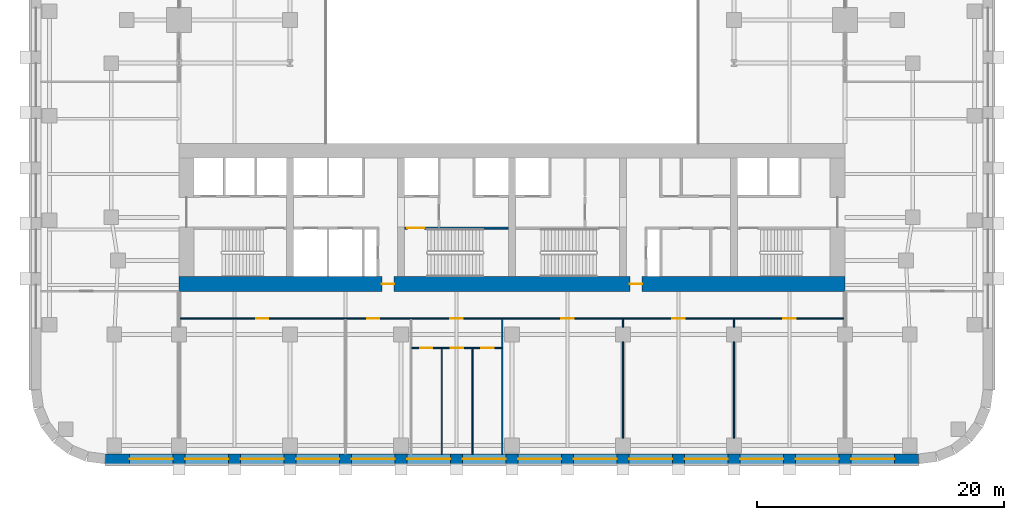
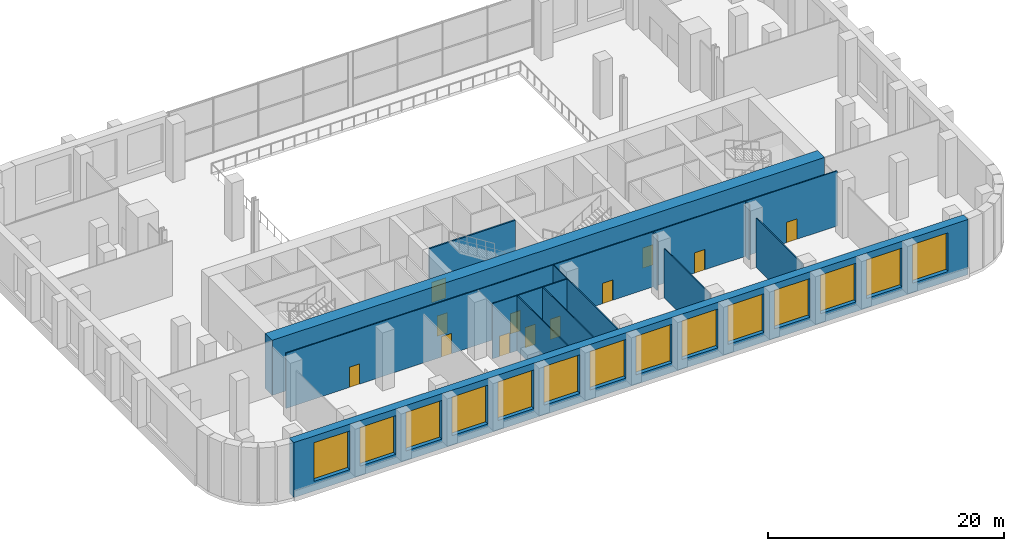
# One storey, part 5 of 13: 14 windows, 12 doors, 12 walls, 26 openings.
"""IFC4 building model written with IfcOpenShell, lengths in metres."""

import ifcopenshell
import ifcopenshell.guid

model = None  # the IFC model being written
_history = None  # IfcOwnerHistory: only IFC2X3 demands one
_inside = {}  # id of a spatial element -> (the spatial element, [elements in it])
_under = {}  # id of a project, library or spatial element -> (it, [spatial elements below it])
_declared = {}  # id of a project -> (the project, [libraries it declares])
_typed = {}  # id of a type object -> (the type object, [elements of that type])
_made_of = {}  # id of a material, layer set ... -> (it, [elements and type objects made of it])


def new_model(schema):
    """Start an empty IFC model of exactly this schema.

    Asked for "IFC4X3", IfcOpenShell would pick the latest addendum, in which some entities
    have other attributes; the version numbers below select the first issue.
    IFC2X3 requires an IfcOwnerHistory on every rooted entity: one is made here for all.
    """
    global model, _history
    if schema == "IFC4X3":
        model = ifcopenshell.file(schema_version=(4, 3, 0, 0))
    else:
        model = ifcopenshell.file(schema=schema)
    _inside.clear()
    _under.clear()
    _declared.clear()
    _typed.clear()
    _made_of.clear()
    _history = None
    if model.schema == "IFC2X3":
        org = make("IfcOrganization", Name="unknown")
        user = make(
            "IfcPersonAndOrganization",
            ThePerson=make("IfcPerson", FamilyName="unknown"),
            TheOrganization=org,
        )
        app = make(
            "IfcApplication",
            ApplicationDeveloper=org,
            Version="unknown",
            ApplicationFullName="unknown",
            ApplicationIdentifier="unknown",
        )
        _history = make(
            "IfcOwnerHistory",
            OwningUser=user,
            OwningApplication=app,
            ChangeAction="ADDED",
            CreationDate=0,
        )
    return model


def make(cls, **values):
    """One entity of the class cls with the attributes given. An attribute that is None is left unset."""
    return model.create_entity(
        cls, **{name: value for name, value in values.items() if value is not None}
    )


def rooted(cls, **values):
    """An entity with a GlobalId (a new one), such as an element, a storey or a relation."""
    return make(cls, GlobalId=ifcopenshell.guid.new(), OwnerHistory=_history, **values)


def si_unit(unit_type, name, prefix=None):
    """IfcSIUnit, for example si_unit("LENGTHUNIT", "METRE", prefix="MILLI")."""
    return make("IfcSIUnit", UnitType=unit_type, Prefix=prefix, Name=name)


def assignment(units):
    """IfcUnitAssignment: the units of a project."""
    return None if units is None else make("IfcUnitAssignment", Units=units)


def point(xyz):
    """IfcCartesianPoint."""
    return None if xyz is None else make("IfcCartesianPoint", Coordinates=xyz)


def direction(xyz):
    """IfcDirection."""
    return None if xyz is None else make("IfcDirection", DirectionRatios=xyz)


def frame(location, z_axis=None, x_axis=None):
    """IfcAxis2Placement3D, a coordinate frame: its origin and axes. An axis left out is left unset."""
    return make(
        "IfcAxis2Placement3D",
        Location=point(location),
        Axis=direction(z_axis),
        RefDirection=direction(x_axis),
    )


def frame_2d(location, x_axis=None):
    """IfcAxis2Placement2D, a coordinate frame in the plane: its origin and x axis."""
    return make(
        "IfcAxis2Placement2D", Location=point(location), RefDirection=direction(x_axis)
    )


def origin():
    """The frame at (0, 0, 0) with its axes left unset."""
    return frame((0.0, 0.0, 0.0))


def place(relative_to, where):
    """IfcLocalPlacement: puts the frame where relative to a parent placement (None: the world)."""
    return make(
        "IfcLocalPlacement", PlacementRelTo=relative_to, RelativePlacement=where
    )


def context(
    kind, dimensions, precision=None, world=None, true_north=None, identifier=None
):
    """IfcGeometricRepresentationContext, for example the 3D "Model" context."""
    return make(
        "IfcGeometricRepresentationContext",
        ContextIdentifier=identifier,
        ContextType=kind,
        CoordinateSpaceDimension=dimensions,
        Precision=precision,
        WorldCoordinateSystem=world,
        TrueNorth=true_north,
    )


def subcontext(parent, identifier, kind, view, scale=None):
    """IfcGeometricRepresentationSubContext, for example "Body" below "Model"."""
    return make(
        "IfcGeometricRepresentationSubContext",
        ContextIdentifier=identifier,
        ContextType=kind,
        ParentContext=parent,
        TargetScale=scale,
        TargetView=view,
    )


def project(units=None, contexts=None):
    """IfcProject with its units and contexts."""
    return rooted(
        "IfcProject",
        Name="project",
        RepresentationContexts=contexts,
        UnitsInContext=assignment(units),
    )


def spatial(cls, under=None, at=None, **own):
    """A site, building, storey or space (cls), placed at a placement, below another one or the project."""
    s = rooted(cls, ObjectPlacement=at, **own)
    if under is not None:
        _under.setdefault(under.id(), (under, []))[1].append(s)
    return s


def profile(cls, at=None, kind="AREA", **sizes):
    """A parametric profile (cls). Its sizes go by their IFC names, for example OverallWidth=200.0."""
    return make(cls, ProfileType=kind, Position=at, **sizes)


def rectangle(**sizes):
    """IfcRectangleProfileDef."""
    return profile("IfcRectangleProfileDef", **sizes)


def extrude(swept, where, along, depth):
    """IfcExtrudedAreaSolid: the profile swept, set in the frame where, extruded along a direction by depth."""
    return make(
        "IfcExtrudedAreaSolid",
        SweptArea=swept,
        Position=where,
        ExtrudedDirection=direction(along),
        Depth=depth,
    )


def shape(context_of_items, identifier, shape_type, items):
    """IfcShapeRepresentation: the items that make up one representation, for example the "Body"."""
    return make(
        "IfcShapeRepresentation",
        ContextOfItems=context_of_items,
        RepresentationIdentifier=identifier,
        RepresentationType=shape_type,
        Items=items,
    )


def material(Name=None, Category=None):
    """IfcMaterial."""
    return make("IfcMaterial", Name=Name, Category=Category)


def layer(
    of_material, thickness, ventilated=None, Name=None, Category=None, Priority=None
):
    """IfcMaterialLayer: one layer of a wall or slab, of a material (None: an air gap)."""
    return make(
        "IfcMaterialLayer",
        Material=of_material,
        LayerThickness=thickness,
        IsVentilated=ventilated,
        Name=Name,
        Category=Category,
        Priority=Priority,
    )


def layer_set(layers, Name=None):
    """IfcMaterialLayerSet."""
    return make("IfcMaterialLayerSet", MaterialLayers=layers, LayerSetName=Name)


def made_of(thing, what):
    """Note that an element or type object is made of a material, layer set ...; save() writes the relation."""
    if what is not None:
        _made_of.setdefault(what.id(), (what, []))[1].append(thing)
    return thing


def type_object(cls, material=None, **own):
    """A type object (cls), such as IfcWallType, which elements share."""
    return made_of(rooted(cls, **own), material)


def element(
    cls,
    number,
    at=None,
    inside=None,
    cuts=None,
    type_object=None,
    material=None,
    context=None,
    identifier="Body",
    shape_type=None,
    held_by="IfcProductDefinitionShape",
    body=None,
    shapes=None,
    **own,
):
    """One element of the class cls, such as IfcWall. Its Tag is "e" and its number.

    at: its placement. inside: the storey or other place that contains it. cuts: it is an
    opening in that element (IfcRelVoidsElement). A single representation is given by context,
    identifier, shape_type and body (its items); several are given by shapes. held_by: the class
    of the entity that holds the representations. save() writes the other relations.
    """
    e = rooted(cls, Tag="e%d" % number, ObjectPlacement=at, **own)
    if body is not None:
        shapes = [shape(context, identifier, shape_type, body)]
    if shapes is not None:
        e.Representation = make(held_by, Representations=shapes)
    if inside is not None:
        _inside.setdefault(inside.id(), (inside, []))[1].append(e)
    if cuts is not None:
        rooted(
            "IfcRelVoidsElement", RelatingBuildingElement=cuts, RelatedOpeningElement=e
        )
    if type_object is not None:
        _typed.setdefault(type_object.id(), (type_object, []))[1].append(e)
    return made_of(e, material)


def fill(opening, filler):
    """IfcRelFillsElement: the door or window that sits in an opening."""
    return rooted(
        "IfcRelFillsElement",
        RelatingOpeningElement=opening,
        RelatedBuildingElement=filler,
    )


def aggregate(whole, parts):
    """IfcRelAggregates: a whole, such as a stair, and the parts it consists of."""
    return rooted("IfcRelAggregates", RelatingObject=whole, RelatedObjects=parts)


def save(model, path):
    """Write the relations noted so far, then the file.

    IfcRelAggregates (storeys below a building ...), IfcRelContainedInSpatialStructure (elements
    in a storey), IfcRelDefinesByType, IfcRelAssociatesMaterial and IfcRelDeclares: one each for
    every whole, place, type object, material and project.
    """
    for whole, parts in _under.values():
        aggregate(whole, parts)
    for where, things in _inside.values():
        rooted(
            "IfcRelContainedInSpatialStructure",
            RelatedElements=things,
            RelatingStructure=where,
        )
    for kind, things in _typed.values():
        rooted("IfcRelDefinesByType", RelatedObjects=things, RelatingType=kind)
    for what, things in _made_of.values():
        rooted("IfcRelAssociatesMaterial", RelatedObjects=things, RelatingMaterial=what)
    for by, libraries in _declared.values():
        rooted("IfcRelDeclares", RelatingContext=by, RelatedDefinitions=libraries)
    model.write(path)


model = new_model("IFC4")

# Units and contexts
model_context = context("Model", 3, precision=1e-05, world=origin(), true_north=direction((0.0, 1.0)))
body_context = subcontext(model_context, "Body", "Model", "MODEL_VIEW")
ifc_project = project(units=[si_unit("LENGTHUNIT", "METRE"), si_unit("AREAUNIT", "SQUARE_METRE"), si_unit("VOLUMEUNIT", "CUBIC_METRE"), si_unit("PLANEANGLEUNIT", "RADIAN"), si_unit("MASSUNIT", "GRAM", prefix="KILO")], contexts=[model_context])

# Site, building, storey
site_placement = place(None, origin())
site = spatial("IfcSite", under=ifc_project, at=site_placement, CompositionType="ELEMENT")
building_placement = place(site_placement, origin())
building = spatial("IfcBuilding", under=site, at=building_placement, Name="Zellij Exchange Tower", CompositionType="ELEMENT")
storey_placement = place(building_placement, frame((0.0, 0.0, 15.0)))
storey = spatial("IfcBuildingStorey", under=building, at=storey_placement, Name="L02", CompositionType="ELEMENT", Elevation=15.0)

# Wall, openings, doors
ifc_material_1 = material(Name="Concrete C70/85", Category="concrete")
ifc_layer_1 = layer(ifc_material_1, 1.199951171875)
ifc_layer_set_1 = layer_set([ifc_layer_1], Name="Concrete C70/85")
wall_type_1 = type_object("IfcWallType", Name="CORE-SW 1200 C70/85", PredefinedType="SHEAR", material=ifc_layer_set_1)
wall_1_placement = place(storey_placement, frame((-27.0, -13.39990234375, 0.0), z_axis=(0.0, 0.0, 1.0), x_axis=(1.0, 0.0, 0.0)))
wall_1 = element("IfcWall", 1, at=wall_1_placement, inside=storey, type_object=wall_type_1, Name="Core shear wall rear L02", PredefinedType="SHEAR", context=body_context, shape_type="SweptSolid", body=[
    extrude(rectangle(XDim=54.0, YDim=1.199951171875, at=frame_2d((27.0, 0.0))), origin(), (0.0, 0.0, 1.0), 5.699951171875),
])
opening_1_placement = place(wall_1_placement, frame((16.449951171875, 0.0, 0.0)))
opening_1 = element("IfcOpeningElement", 2, at=opening_1_placement, cuts=wall_1, Name="Opening CA-04.11", PredefinedType="OPENING", context=body_context, shape_type="SweptSolid", body=[
    extrude(rectangle(XDim=1.0, YDim=2.10009765625, at=frame_2d((0.5, 1.050048828125))), frame((0.0, 0.61181640625, 0.0), z_axis=(0.0, -1.0, 0.0), x_axis=(1.0, 0.0, 0.0)), (0.0, 0.0, 1.0), 1.223876953125),
])
opening_2_placement = place(wall_1_placement, frame((36.550048828125, 0.0, 0.0)))
opening_2 = element("IfcOpeningElement", 3, at=opening_2_placement, cuts=wall_1, Name="Opening CA-04.19", PredefinedType="OPENING", context=body_context, shape_type="SweptSolid", body=[
    extrude(rectangle(XDim=1.0, YDim=2.10009765625, at=frame_2d((0.5, 1.050048828125))), frame((0.0, 0.61181640625, 0.0), z_axis=(0.0, -1.0, 0.0), x_axis=(1.0, 0.0, 0.0)), (0.0, 0.0, 1.0), 1.223876953125),
])
ifc_material_2 = material(Name="Hollow metal fire door")
door_type_1 = type_object("IfcDoorType", Name="CORE-D CR Core rear door 1000x2100 20 MIN", OperationType="NOTDEFINED", PredefinedType="DOOR", material=ifc_material_2)
door_1_placement = place(opening_1_placement, origin())
door_1 = element("IfcDoor", 4, at=door_1_placement, inside=storey, type_object=door_type_1, Name="Core rear door CA-04.11", OperationType="SINGLE_SWING_RIGHT", OverallHeight=2.10009765625, OverallWidth=1.0, PredefinedType="DOOR", context=body_context, shape_type="SweptSolid", body=[
    extrude(rectangle(XDim=1.0, YDim=2.10009765625, at=frame_2d((0.5, 1.050048828125))), frame((0.0, 0.02490234375, 0.0), z_axis=(0.0, -1.0, 0.0), x_axis=(1.0, 0.0, 0.0)), (0.0, 0.0, 1.0), 0.050048828125),
])
fill(opening_1, door_1)
door_2_placement = place(opening_2_placement, origin())
door_2 = element("IfcDoor", 5, at=door_2_placement, inside=storey, type_object=door_type_1, Name="Core rear door CA-04.19", OperationType="SINGLE_SWING_LEFT", OverallHeight=2.10009765625, OverallWidth=1.0, PredefinedType="DOOR", context=body_context, shape_type="SweptSolid", body=[
    extrude(rectangle(XDim=1.0, YDim=2.10009765625, at=frame_2d((0.5, 1.050048828125))), frame((0.0, 0.02490234375, 0.0), z_axis=(0.0, -1.0, 0.0), x_axis=(1.0, 0.0, 0.0)), (0.0, 0.0, 1.0), 0.050048828125),
])
fill(opening_2, door_2)

# Wall, opening, door
ifc_layer_2 = layer(ifc_material_1, 0.14990234375)
ifc_layer_set_2 = layer_set([ifc_layer_2], Name="Concrete C70/85")
wall_type_2 = type_object("IfcWallType", Name="CORE-SWS 150 C70/85", PredefinedType="SHEAR", material=ifc_layer_set_2)
wall_2_placement = place(storey_placement, frame((-8.699951171875, -8.875, 0.0), z_axis=(0.0, 0.0, 1.0), x_axis=(1.0, 0.0, 0.0)))
wall_2 = element("IfcWall", 6, at=wall_2_placement, inside=storey, type_object=wall_type_2, Name="Stair enclosure wall L02", PredefinedType="SHEAR", context=body_context, shape_type="SweptSolid", body=[
    extrude(rectangle(XDim=8.39990234375, YDim=0.14990234375, at=frame_2d((4.199951171875, 0.0))), origin(), (0.0, 0.0, 1.0), 5.699951171875),
])
opening_3_placement = place(wall_2_placement, frame((0.22509765625, 0.0, 0.0)))
opening_3 = element("IfcOpeningElement", 7, at=opening_3_placement, cuts=wall_2, Name="Opening CA-04.12", PredefinedType="OPENING", context=body_context, shape_type="SweptSolid", body=[
    extrude(rectangle(XDim=1.39990234375, YDim=2.10009765625, at=frame_2d((0.699951171875, 1.050048828125))), frame((0.0, 0.0869140625, 0.0), z_axis=(0.0, -1.0, 0.0), x_axis=(1.0, 0.0, 0.0)), (0.0, 0.0, 1.0), 0.173828125),
])
door_type_2 = type_object("IfcDoorType", Name="CORE-D SD Stair door 1400x2100 1.5 HR", OperationType="NOTDEFINED", PredefinedType="DOOR", material=ifc_material_2)
door_3_placement = place(opening_3_placement, origin())
door_3 = element("IfcDoor", 8, at=door_3_placement, inside=storey, type_object=door_type_2, Name="Stair door CA-04.12", OperationType="DOUBLE_DOOR_SINGLE_SWING", OverallHeight=2.10009765625, OverallWidth=1.39990234375, PredefinedType="DOOR", context=body_context, shape_type="SweptSolid", body=[
    extrude(rectangle(XDim=1.39990234375, YDim=2.10009765625, at=frame_2d((0.699951171875, 1.050048828125))), frame((0.0, 0.02490234375, 0.0), z_axis=(0.0, -1.0, 0.0), x_axis=(1.0, 0.0, 0.0)), (0.0, 0.0, 1.0), 0.050048828125),
])
fill(opening_3, door_3)

# Wall, openings, windows
ifc_material_3 = material(Name="Precast concrete C40/50", Category="concrete")
ifc_layer_3 = layer(ifc_material_3, 0.800048828125)
ifc_layer_set_3 = layer_set([ifc_layer_3], Name="Precast concrete C40/50")
wall_type_3 = type_object("IfcWallType", Name="ENV-EW1 Precast stone-piered wall 800", PredefinedType="SOLIDWALL", material=ifc_layer_set_3)
wall_3_placement = place(storey_placement, frame((-32.947509765625, -27.60009765625, 0.0), z_axis=(0.0, 0.0, 1.0), x_axis=(1.0, 0.0, 0.0)))
wall_3 = element("IfcWall", 9, at=wall_3_placement, inside=storey, type_object=wall_type_3, Name="fac.L02.00", PredefinedType="SOLIDWALL", context=body_context, shape_type="SweptSolid", body=[
    extrude(rectangle(XDim=65.89501953125, YDim=0.800048828125, at=frame_2d((32.947509765625, 0.0))), origin(), (0.0, 0.0, 1.0), 5.699951171875),
])
opening_4_placement = place(wall_3_placement, frame((1.947509765625, 0.0, 1.0)))
opening_4 = element("IfcOpeningElement", 10, at=opening_4_placement, cuts=wall_3, Name="Opening FP.01", PredefinedType="OPENING", context=body_context, shape_type="SweptSolid", body=[
    extrude(rectangle(XDim=3.5, YDim=4.0, at=frame_2d((1.75, 2.0))), frame((0.0, 0.412109375, 0.0), z_axis=(0.0, -1.0, 0.0), x_axis=(1.0, 0.0, 0.0)), (0.0, 0.0, 1.0), 0.823974609375),
])
opening_5_placement = place(wall_3_placement, frame((6.447509765625, 0.0, 1.0)))
opening_5 = element("IfcOpeningElement", 11, at=opening_5_placement, cuts=wall_3, Name="Opening FP.02", PredefinedType="OPENING", context=body_context, shape_type="SweptSolid", body=[
    extrude(rectangle(XDim=3.5, YDim=4.0, at=frame_2d((1.75, 2.0))), frame((0.0, 0.412109375, 0.0), z_axis=(0.0, -1.0, 0.0), x_axis=(1.0, 0.0, 0.0)), (0.0, 0.0, 1.0), 0.823974609375),
])
opening_6_placement = place(wall_3_placement, frame((10.947509765625, 0.0, 1.0)))
opening_6 = element("IfcOpeningElement", 12, at=opening_6_placement, cuts=wall_3, Name="Opening FP.03", PredefinedType="OPENING", context=body_context, shape_type="SweptSolid", body=[
    extrude(rectangle(XDim=3.5, YDim=4.0, at=frame_2d((1.75, 2.0))), frame((0.0, 0.412109375, 0.0), z_axis=(0.0, -1.0, 0.0), x_axis=(1.0, 0.0, 0.0)), (0.0, 0.0, 1.0), 0.823974609375),
])
opening_7_placement = place(wall_3_placement, frame((15.447509765625, 0.0, 1.0)))
opening_7 = element("IfcOpeningElement", 13, at=opening_7_placement, cuts=wall_3, Name="Opening FP.04", PredefinedType="OPENING", context=body_context, shape_type="SweptSolid", body=[
    extrude(rectangle(XDim=3.5, YDim=4.0, at=frame_2d((1.75, 2.0))), frame((0.0, 0.412109375, 0.0), z_axis=(0.0, -1.0, 0.0), x_axis=(1.0, 0.0, 0.0)), (0.0, 0.0, 1.0), 0.823974609375),
])
opening_8_placement = place(wall_3_placement, frame((19.947509765625, 0.0, 1.0)))
opening_8 = element("IfcOpeningElement", 14, at=opening_8_placement, cuts=wall_3, Name="Opening FP.05", PredefinedType="OPENING", context=body_context, shape_type="SweptSolid", body=[
    extrude(rectangle(XDim=3.5, YDim=4.0, at=frame_2d((1.75, 2.0))), frame((0.0, 0.412109375, 0.0), z_axis=(0.0, -1.0, 0.0), x_axis=(1.0, 0.0, 0.0)), (0.0, 0.0, 1.0), 0.823974609375),
])
opening_9_placement = place(wall_3_placement, frame((24.447509765625, 0.0, 1.0)))
opening_9 = element("IfcOpeningElement", 15, at=opening_9_placement, cuts=wall_3, Name="Opening FP.06", PredefinedType="OPENING", context=body_context, shape_type="SweptSolid", body=[
    extrude(rectangle(XDim=3.5, YDim=4.0, at=frame_2d((1.75, 2.0))), frame((0.0, 0.412109375, 0.0), z_axis=(0.0, -1.0, 0.0), x_axis=(1.0, 0.0, 0.0)), (0.0, 0.0, 1.0), 0.823974609375),
])
opening_10_placement = place(wall_3_placement, frame((28.947509765625, 0.0, 1.0)))
opening_10 = element("IfcOpeningElement", 16, at=opening_10_placement, cuts=wall_3, Name="Opening FP.07", PredefinedType="OPENING", context=body_context, shape_type="SweptSolid", body=[
    extrude(rectangle(XDim=3.5, YDim=4.0, at=frame_2d((1.75, 2.0))), frame((0.0, 0.412109375, 0.0), z_axis=(0.0, -1.0, 0.0), x_axis=(1.0, 0.0, 0.0)), (0.0, 0.0, 1.0), 0.823974609375),
])
opening_11_placement = place(wall_3_placement, frame((33.447509765625, 0.0, 1.0)))
opening_11 = element("IfcOpeningElement", 17, at=opening_11_placement, cuts=wall_3, Name="Opening FP.08", PredefinedType="OPENING", context=body_context, shape_type="SweptSolid", body=[
    extrude(rectangle(XDim=3.5, YDim=4.0, at=frame_2d((1.75, 2.0))), frame((0.0, 0.412109375, 0.0), z_axis=(0.0, -1.0, 0.0), x_axis=(1.0, 0.0, 0.0)), (0.0, 0.0, 1.0), 0.823974609375),
])
opening_12_placement = place(wall_3_placement, frame((37.947509765625, 0.0, 1.0)))
opening_12 = element("IfcOpeningElement", 18, at=opening_12_placement, cuts=wall_3, Name="Opening FP.09", PredefinedType="OPENING", context=body_context, shape_type="SweptSolid", body=[
    extrude(rectangle(XDim=3.5, YDim=4.0, at=frame_2d((1.75, 2.0))), frame((0.0, 0.412109375, 0.0), z_axis=(0.0, -1.0, 0.0), x_axis=(1.0, 0.0, 0.0)), (0.0, 0.0, 1.0), 0.823974609375),
])
opening_13_placement = place(wall_3_placement, frame((42.447509765625, 0.0, 1.0)))
opening_13 = element("IfcOpeningElement", 19, at=opening_13_placement, cuts=wall_3, Name="Opening FP.10", PredefinedType="OPENING", context=body_context, shape_type="SweptSolid", body=[
    extrude(rectangle(XDim=3.5, YDim=4.0, at=frame_2d((1.75, 2.0))), frame((0.0, 0.412109375, 0.0), z_axis=(0.0, -1.0, 0.0), x_axis=(1.0, 0.0, 0.0)), (0.0, 0.0, 1.0), 0.823974609375),
])
opening_14_placement = place(wall_3_placement, frame((46.947509765625, 0.0, 1.0)))
opening_14 = element("IfcOpeningElement", 20, at=opening_14_placement, cuts=wall_3, Name="Opening FP.11", PredefinedType="OPENING", context=body_context, shape_type="SweptSolid", body=[
    extrude(rectangle(XDim=3.5, YDim=4.0, at=frame_2d((1.75, 2.0))), frame((0.0, 0.412109375, 0.0), z_axis=(0.0, -1.0, 0.0), x_axis=(1.0, 0.0, 0.0)), (0.0, 0.0, 1.0), 0.823974609375),
])
opening_15_placement = place(wall_3_placement, frame((51.447509765625, 0.0, 1.0)))
opening_15 = element("IfcOpeningElement", 21, at=opening_15_placement, cuts=wall_3, Name="Opening FP.12", PredefinedType="OPENING", context=body_context, shape_type="SweptSolid", body=[
    extrude(rectangle(XDim=3.5, YDim=4.0, at=frame_2d((1.75, 2.0))), frame((0.0, 0.412109375, 0.0), z_axis=(0.0, -1.0, 0.0), x_axis=(1.0, 0.0, 0.0)), (0.0, 0.0, 1.0), 0.823974609375),
])
opening_16_placement = place(wall_3_placement, frame((55.947509765625, 0.0, 1.0)))
opening_16 = element("IfcOpeningElement", 22, at=opening_16_placement, cuts=wall_3, Name="Opening FP.13", PredefinedType="OPENING", context=body_context, shape_type="SweptSolid", body=[
    extrude(rectangle(XDim=3.5, YDim=4.0, at=frame_2d((1.75, 2.0))), frame((0.0, 0.412109375, 0.0), z_axis=(0.0, -1.0, 0.0), x_axis=(1.0, 0.0, 0.0)), (0.0, 0.0, 1.0), 0.823974609375),
])
opening_17_placement = place(wall_3_placement, frame((60.447509765625, 0.0, 1.0)))
opening_17 = element("IfcOpeningElement", 23, at=opening_17_placement, cuts=wall_3, Name="Opening FP.14", PredefinedType="OPENING", context=body_context, shape_type="SweptSolid", body=[
    extrude(rectangle(XDim=3.5, YDim=4.0, at=frame_2d((1.75, 2.0))), frame((0.0, 0.412109375, 0.0), z_axis=(0.0, -1.0, 0.0), x_axis=(1.0, 0.0, 0.0)), (0.0, 0.0, 1.0), 0.823974609375),
])
ifc_material_4 = material(Name="Aluminium frame with insulating glass", Category="aluminium")
window_type = type_object("IfcWindowType", Name="ENV-W2 Window 3500x4000", PartitioningType="SINGLE_PANEL", PredefinedType="WINDOW", material=ifc_material_4)
window_1_placement = place(opening_4_placement, origin())
window_1 = element("IfcWindow", 24, at=window_1_placement, inside=storey, type_object=window_type, Name="Window FP.01", OverallHeight=4.0, OverallWidth=3.5, PartitioningType="SINGLE_PANEL", PredefinedType="WINDOW", context=body_context, shape_type="SweptSolid", body=[
    extrude(rectangle(XDim=3.5, YDim=4.0, at=frame_2d((1.75, 2.0))), frame((0.0, 0.030029296875, 0.0), z_axis=(0.0, -1.0, 0.0), x_axis=(1.0, 0.0, 0.0)), (0.0, 0.0, 1.0), 0.06005859375),
])
fill(opening_4, window_1)
window_2_placement = place(opening_5_placement, origin())
window_2 = element("IfcWindow", 25, at=window_2_placement, inside=storey, type_object=window_type, Name="Window FP.02", OverallHeight=4.0, OverallWidth=3.5, PartitioningType="SINGLE_PANEL", PredefinedType="WINDOW", context=body_context, shape_type="SweptSolid", body=[
    extrude(rectangle(XDim=3.5, YDim=4.0, at=frame_2d((1.75, 2.0))), frame((0.0, 0.030029296875, 0.0), z_axis=(0.0, -1.0, 0.0), x_axis=(1.0, 0.0, 0.0)), (0.0, 0.0, 1.0), 0.06005859375),
])
fill(opening_5, window_2)
window_3_placement = place(opening_6_placement, origin())
window_3 = element("IfcWindow", 26, at=window_3_placement, inside=storey, type_object=window_type, Name="Window FP.03", OverallHeight=4.0, OverallWidth=3.5, PartitioningType="SINGLE_PANEL", PredefinedType="WINDOW", context=body_context, shape_type="SweptSolid", body=[
    extrude(rectangle(XDim=3.5, YDim=4.0, at=frame_2d((1.75, 2.0))), frame((0.0, 0.030029296875, 0.0), z_axis=(0.0, -1.0, 0.0), x_axis=(1.0, 0.0, 0.0)), (0.0, 0.0, 1.0), 0.06005859375),
])
fill(opening_6, window_3)
window_4_placement = place(opening_7_placement, origin())
window_4 = element("IfcWindow", 27, at=window_4_placement, inside=storey, type_object=window_type, Name="Window FP.04", OverallHeight=4.0, OverallWidth=3.5, PartitioningType="SINGLE_PANEL", PredefinedType="WINDOW", context=body_context, shape_type="SweptSolid", body=[
    extrude(rectangle(XDim=3.5, YDim=4.0, at=frame_2d((1.75, 2.0))), frame((0.0, 0.030029296875, 0.0), z_axis=(0.0, -1.0, 0.0), x_axis=(1.0, 0.0, 0.0)), (0.0, 0.0, 1.0), 0.06005859375),
])
fill(opening_7, window_4)
window_5_placement = place(opening_8_placement, origin())
window_5 = element("IfcWindow", 28, at=window_5_placement, inside=storey, type_object=window_type, Name="Window FP.05", OverallHeight=4.0, OverallWidth=3.5, PartitioningType="SINGLE_PANEL", PredefinedType="WINDOW", context=body_context, shape_type="SweptSolid", body=[
    extrude(rectangle(XDim=3.5, YDim=4.0, at=frame_2d((1.75, 2.0))), frame((0.0, 0.030029296875, 0.0), z_axis=(0.0, -1.0, 0.0), x_axis=(1.0, 0.0, 0.0)), (0.0, 0.0, 1.0), 0.06005859375),
])
fill(opening_8, window_5)
window_6_placement = place(opening_9_placement, origin())
window_6 = element("IfcWindow", 29, at=window_6_placement, inside=storey, type_object=window_type, Name="Window FP.06", OverallHeight=4.0, OverallWidth=3.5, PartitioningType="SINGLE_PANEL", PredefinedType="WINDOW", context=body_context, shape_type="SweptSolid", body=[
    extrude(rectangle(XDim=3.5, YDim=4.0, at=frame_2d((1.75, 2.0))), frame((0.0, 0.030029296875, 0.0), z_axis=(0.0, -1.0, 0.0), x_axis=(1.0, 0.0, 0.0)), (0.0, 0.0, 1.0), 0.06005859375),
])
fill(opening_9, window_6)
window_7_placement = place(opening_10_placement, origin())
window_7 = element("IfcWindow", 30, at=window_7_placement, inside=storey, type_object=window_type, Name="Window FP.07", OverallHeight=4.0, OverallWidth=3.5, PartitioningType="SINGLE_PANEL", PredefinedType="WINDOW", context=body_context, shape_type="SweptSolid", body=[
    extrude(rectangle(XDim=3.5, YDim=4.0, at=frame_2d((1.75, 2.0))), frame((0.0, 0.030029296875, 0.0), z_axis=(0.0, -1.0, 0.0), x_axis=(1.0, 0.0, 0.0)), (0.0, 0.0, 1.0), 0.06005859375),
])
fill(opening_10, window_7)
window_8_placement = place(opening_11_placement, origin())
window_8 = element("IfcWindow", 31, at=window_8_placement, inside=storey, type_object=window_type, Name="Window FP.08", OverallHeight=4.0, OverallWidth=3.5, PartitioningType="SINGLE_PANEL", PredefinedType="WINDOW", context=body_context, shape_type="SweptSolid", body=[
    extrude(rectangle(XDim=3.5, YDim=4.0, at=frame_2d((1.75, 2.0))), frame((0.0, 0.030029296875, 0.0), z_axis=(0.0, -1.0, 0.0), x_axis=(1.0, 0.0, 0.0)), (0.0, 0.0, 1.0), 0.06005859375),
])
fill(opening_11, window_8)
window_9_placement = place(opening_12_placement, origin())
window_9 = element("IfcWindow", 32, at=window_9_placement, inside=storey, type_object=window_type, Name="Window FP.09", OverallHeight=4.0, OverallWidth=3.5, PartitioningType="SINGLE_PANEL", PredefinedType="WINDOW", context=body_context, shape_type="SweptSolid", body=[
    extrude(rectangle(XDim=3.5, YDim=4.0, at=frame_2d((1.75, 2.0))), frame((0.0, 0.030029296875, 0.0), z_axis=(0.0, -1.0, 0.0), x_axis=(1.0, 0.0, 0.0)), (0.0, 0.0, 1.0), 0.06005859375),
])
fill(opening_12, window_9)
window_10_placement = place(opening_13_placement, origin())
window_10 = element("IfcWindow", 33, at=window_10_placement, inside=storey, type_object=window_type, Name="Window FP.10", OverallHeight=4.0, OverallWidth=3.5, PartitioningType="SINGLE_PANEL", PredefinedType="WINDOW", context=body_context, shape_type="SweptSolid", body=[
    extrude(rectangle(XDim=3.5, YDim=4.0, at=frame_2d((1.75, 2.0))), frame((0.0, 0.030029296875, 0.0), z_axis=(0.0, -1.0, 0.0), x_axis=(1.0, 0.0, 0.0)), (0.0, 0.0, 1.0), 0.06005859375),
])
fill(opening_13, window_10)
window_11_placement = place(opening_14_placement, origin())
window_11 = element("IfcWindow", 34, at=window_11_placement, inside=storey, type_object=window_type, Name="Window FP.11", OverallHeight=4.0, OverallWidth=3.5, PartitioningType="SINGLE_PANEL", PredefinedType="WINDOW", context=body_context, shape_type="SweptSolid", body=[
    extrude(rectangle(XDim=3.5, YDim=4.0, at=frame_2d((1.75, 2.0))), frame((0.0, 0.030029296875, 0.0), z_axis=(0.0, -1.0, 0.0), x_axis=(1.0, 0.0, 0.0)), (0.0, 0.0, 1.0), 0.06005859375),
])
fill(opening_14, window_11)
window_12_placement = place(opening_15_placement, origin())
window_12 = element("IfcWindow", 35, at=window_12_placement, inside=storey, type_object=window_type, Name="Window FP.12", OverallHeight=4.0, OverallWidth=3.5, PartitioningType="SINGLE_PANEL", PredefinedType="WINDOW", context=body_context, shape_type="SweptSolid", body=[
    extrude(rectangle(XDim=3.5, YDim=4.0, at=frame_2d((1.75, 2.0))), frame((0.0, 0.030029296875, 0.0), z_axis=(0.0, -1.0, 0.0), x_axis=(1.0, 0.0, 0.0)), (0.0, 0.0, 1.0), 0.06005859375),
])
fill(opening_15, window_12)
window_13_placement = place(opening_16_placement, origin())
window_13 = element("IfcWindow", 36, at=window_13_placement, inside=storey, type_object=window_type, Name="Window FP.13", OverallHeight=4.0, OverallWidth=3.5, PartitioningType="SINGLE_PANEL", PredefinedType="WINDOW", context=body_context, shape_type="SweptSolid", body=[
    extrude(rectangle(XDim=3.5, YDim=4.0, at=frame_2d((1.75, 2.0))), frame((0.0, 0.030029296875, 0.0), z_axis=(0.0, -1.0, 0.0), x_axis=(1.0, 0.0, 0.0)), (0.0, 0.0, 1.0), 0.06005859375),
])
fill(opening_16, window_13)
window_14_placement = place(opening_17_placement, origin())
window_14 = element("IfcWindow", 37, at=window_14_placement, inside=storey, type_object=window_type, Name="Window FP.14", OverallHeight=4.0, OverallWidth=3.5, PartitioningType="SINGLE_PANEL", PredefinedType="WINDOW", context=body_context, shape_type="SweptSolid", body=[
    extrude(rectangle(XDim=3.5, YDim=4.0, at=frame_2d((1.75, 2.0))), frame((0.0, 0.030029296875, 0.0), z_axis=(0.0, -1.0, 0.0), x_axis=(1.0, 0.0, 0.0)), (0.0, 0.0, 1.0), 0.06005859375),
])
fill(opening_17, window_14)

# Walls
ifc_material_5 = material(Name="Gypsum board partition on steel studs", Category="steel")
ifc_layer_4 = layer(ifc_material_5, 0.10009765625)
ifc_layer_set_4 = layer_set([ifc_layer_4], Name="Gypsum board partition on steel studs")
wall_type_4 = type_object("IfcWallType", Name="FIT-PARTITION-100", PredefinedType="PARTITIONING", material=ifc_layer_set_4)
for number, where, z_axis, x_axis, name in (
    (38, (-5.699951171875, -27.199951171875, 0.0), (0.0, 0.0, 1.0), (0.0, 1.0, 0.0), "FIT-PARTITION-100 006"),
    (39, (-3.199951171875, -27.199951171875, 0.0), (0.0, 0.0, 1.0), (0.0, 1.0, 0.0), "FIT-PARTITION-100 007"),
):
    element("IfcWall", number, at=place(storey_placement, frame(where, z_axis=z_axis, x_axis=x_axis)), inside=storey, type_object=wall_type_4, Name=name, PredefinedType="PARTITIONING", context=body_context, shape_type="SweptSolid", body=[
        extrude(rectangle(XDim=8.550048828125, YDim=0.10009765625, at=frame_2d((4.27490234375, 0.0))), origin(), (0.0, 0.0, 1.0), 5.699951171875),
    ])
wall_4_placement = place(storey_placement, frame((-0.800048828125, -27.199951171875, 0.0), z_axis=(0.0, 0.0, 1.0), x_axis=(0.0, 1.0, 0.0)))
element("IfcWall", 40, at=wall_4_placement, inside=storey, type_object=wall_type_4, Name="FIT-PARTITION-100 008", PredefinedType="PARTITIONING", context=body_context, shape_type="SweptSolid", body=[
    extrude(rectangle(XDim=10.949951171875, YDim=0.10009765625, at=frame_2d((5.47509765625, 0.0))), origin(), (0.0, 0.0, 1.0), 5.699951171875),
])
wall_5_placement = place(storey_placement, frame((9.0, -25.89990234375, 0.0), z_axis=(0.0, 0.0, 1.0), x_axis=(0.0, 1.0, 0.0)))
element("IfcWall", 41, at=wall_5_placement, inside=storey, type_object=wall_type_4, Name="FIT-PARTITION-100 009", PredefinedType="PARTITIONING", context=body_context, shape_type="SweptSolid", body=[
    extrude(rectangle(XDim=7.7998046875, YDim=0.10009765625, at=frame_2d((3.89990234375, 0.0))), origin(), (0.0, 0.0, 1.0), 5.087890625),
])
wall_6_placement = place(storey_placement, frame((9.0, -16.89990234375, 0.0), z_axis=(0.0, 0.0, 1.0), x_axis=(0.0, 1.0, 0.0)))
element("IfcWall", 42, at=wall_6_placement, inside=storey, type_object=wall_type_4, Name="FIT-PARTITION-100 010", PredefinedType="PARTITIONING", context=body_context, shape_type="SweptSolid", body=[
    extrude(rectangle(XDim=0.64990234375, YDim=0.10009765625, at=frame_2d((0.324951171875, 0.0))), origin(), (0.0, 0.0, 1.0), 5.699951171875),
])
wall_7_placement = place(storey_placement, frame((18.0, -25.89990234375, 0.0), z_axis=(0.0, 0.0, 1.0), x_axis=(0.0, 1.0, 0.0)))
element("IfcWall", 43, at=wall_7_placement, inside=storey, type_object=wall_type_4, Name="FIT-PARTITION-100 011", PredefinedType="PARTITIONING", context=body_context, shape_type="SweptSolid", body=[
    extrude(rectangle(XDim=7.7998046875, YDim=0.10009765625, at=frame_2d((3.89990234375, 0.0))), origin(), (0.0, 0.0, 1.0), 5.087890625),
])
wall_8_placement = place(storey_placement, frame((18.0, -16.89990234375, 0.0), z_axis=(0.0, 0.0, 1.0), x_axis=(0.0, 1.0, 0.0)))
element("IfcWall", 44, at=wall_8_placement, inside=storey, type_object=wall_type_4, Name="FIT-PARTITION-100 012", PredefinedType="PARTITIONING", context=body_context, shape_type="SweptSolid", body=[
    extrude(rectangle(XDim=0.64990234375, YDim=0.10009765625, at=frame_2d((0.324951171875, 0.0))), origin(), (0.0, 0.0, 1.0), 5.699951171875),
])

# Wall, openings, doors
wall_9_placement = place(storey_placement, frame((-8.14990234375, -18.60009765625, 0.0), z_axis=(0.0, 0.0, 1.0), x_axis=(1.0, 0.0, 0.0)))
wall_9 = element("IfcWall", 45, at=wall_9_placement, inside=storey, type_object=wall_type_4, Name="FIT-PARTITION-100 015", PredefinedType="PARTITIONING", context=body_context, shape_type="SweptSolid", body=[
    extrude(rectangle(XDim=7.2998046875, YDim=0.10009765625, at=frame_2d((3.64990234375, 0.0))), origin(), (0.0, 0.0, 1.0), 5.699951171875),
])
opening_18_placement = place(wall_9_placement, frame((0.699951171875, 0.0, 0.0)))
opening_18 = element("IfcOpeningElement", 46, at=opening_18_placement, cuts=wall_9, Name="Opening P2.01", PredefinedType="OPENING", context=body_context, shape_type="SweptSolid", body=[
    extrude(rectangle(XDim=1.0, YDim=2.10009765625, at=frame_2d((0.5, 1.050048828125))), frame((0.0, 0.06201171875, 0.0), z_axis=(0.0, -1.0, 0.0), x_axis=(1.0, 0.0, 0.0)), (0.0, 0.0, 1.0), 0.1240234375),
])
opening_19_placement = place(wall_9_placement, frame((3.199951171875, 0.0, 0.0)))
opening_19 = element("IfcOpeningElement", 47, at=opening_19_placement, cuts=wall_9, Name="Opening P2.02", PredefinedType="OPENING", context=body_context, shape_type="SweptSolid", body=[
    extrude(rectangle(XDim=1.0, YDim=2.10009765625, at=frame_2d((0.5, 1.050048828125))), frame((0.0, 0.06201171875, 0.0), z_axis=(0.0, -1.0, 0.0), x_axis=(1.0, 0.0, 0.0)), (0.0, 0.0, 1.0), 0.1240234375),
])
opening_20_placement = place(wall_9_placement, frame((5.64990234375, 0.0, 0.0)))
opening_20 = element("IfcOpeningElement", 48, at=opening_20_placement, cuts=wall_9, Name="Opening P2.03", PredefinedType="OPENING", context=body_context, shape_type="SweptSolid", body=[
    extrude(rectangle(XDim=1.0, YDim=2.10009765625, at=frame_2d((0.5, 1.050048828125))), frame((0.0, 0.06201171875, 0.0), z_axis=(0.0, -1.0, 0.0), x_axis=(1.0, 0.0, 0.0)), (0.0, 0.0, 1.0), 0.1240234375),
])
ifc_material_6 = material(Name="Timber door set", Category="wood")
door_type_3 = type_object("IfcDoorType", Name="FIT-D2-WIDE-1000X2100", OperationType="SINGLE_SWING_LEFT", PredefinedType="DOOR", material=ifc_material_6)
door_4_placement = place(opening_18_placement, origin())
door_4 = element("IfcDoor", 49, at=door_4_placement, inside=storey, type_object=door_type_3, Name="Door P2.01", OperationType="SINGLE_SWING_RIGHT", OverallHeight=2.10009765625, OverallWidth=1.0, PredefinedType="DOOR", context=body_context, shape_type="SweptSolid", body=[
    extrude(rectangle(XDim=1.0, YDim=2.10009765625, at=frame_2d((0.5, 1.050048828125))), frame((0.0, 0.02490234375, 0.0), z_axis=(0.0, -1.0, 0.0), x_axis=(1.0, 0.0, 0.0)), (0.0, 0.0, 1.0), 0.050048828125),
])
fill(opening_18, door_4)
door_5_placement = place(opening_19_placement, origin())
door_5 = element("IfcDoor", 50, at=door_5_placement, inside=storey, type_object=door_type_3, Name="Door P2.02", OperationType="SINGLE_SWING_LEFT", OverallHeight=2.10009765625, OverallWidth=1.0, PredefinedType="DOOR", context=body_context, shape_type="SweptSolid", body=[
    extrude(rectangle(XDim=1.0, YDim=2.10009765625, at=frame_2d((0.5, 1.050048828125))), frame((0.0, 0.02490234375, 0.0), z_axis=(0.0, -1.0, 0.0), x_axis=(1.0, 0.0, 0.0)), (0.0, 0.0, 1.0), 0.050048828125),
])
fill(opening_19, door_5)
door_6_placement = place(opening_20_placement, origin())
door_6 = element("IfcDoor", 51, at=door_6_placement, inside=storey, type_object=door_type_3, Name="Door P2.03", OperationType="SINGLE_SWING_RIGHT", OverallHeight=2.10009765625, OverallWidth=1.0, PredefinedType="DOOR", context=body_context, shape_type="SweptSolid", body=[
    extrude(rectangle(XDim=1.0, YDim=2.10009765625, at=frame_2d((0.5, 1.050048828125))), frame((0.0, 0.02490234375, 0.0), z_axis=(0.0, -1.0, 0.0), x_axis=(1.0, 0.0, 0.0)), (0.0, 0.0, 1.0), 0.050048828125),
])
fill(opening_20, door_6)

wall_10_placement = place(storey_placement, frame((-26.949951171875, -16.199951171875, 0.0), z_axis=(0.0, 0.0, 1.0), x_axis=(1.0, 0.0, 0.0)))
wall_10 = element("IfcWall", 52, at=wall_10_placement, inside=storey, type_object=wall_type_4, Name="FIT-PARTITION-100 016", PredefinedType="PARTITIONING", context=body_context, shape_type="SweptSolid", body=[
    extrude(rectangle(XDim=53.89990234375, YDim=0.10009765625, at=frame_2d((26.949951171875, 0.0))), origin(), (0.0, 0.0, 1.0), 5.699951171875),
])
opening_21_placement = place(wall_10_placement, frame((6.199951171875, 0.0, 0.0)))
opening_21 = element("IfcOpeningElement", 53, at=opening_21_placement, cuts=wall_10, Name="Opening P2.04", PredefinedType="OPENING", context=body_context, shape_type="SweptSolid", body=[
    extrude(rectangle(XDim=1.0, YDim=2.10009765625, at=frame_2d((0.5, 1.050048828125))), frame((0.0, 0.06201171875, 0.0), z_axis=(0.0, -1.0, 0.0), x_axis=(1.0, 0.0, 0.0)), (0.0, 0.0, 1.0), 0.1240234375),
])
opening_22_placement = place(wall_10_placement, frame((15.199951171875, 0.0, 0.0)))
opening_22 = element("IfcOpeningElement", 54, at=opening_22_placement, cuts=wall_10, Name="Opening P2.05", PredefinedType="OPENING", context=body_context, shape_type="SweptSolid", body=[
    extrude(rectangle(XDim=1.0, YDim=2.10009765625, at=frame_2d((0.5, 1.050048828125))), frame((0.0, 0.06201171875, 0.0), z_axis=(0.0, -1.0, 0.0), x_axis=(1.0, 0.0, 0.0)), (0.0, 0.0, 1.0), 0.1240234375),
])
opening_23_placement = place(wall_10_placement, frame((21.949951171875, 0.0, 0.0)))
opening_23 = element("IfcOpeningElement", 55, at=opening_23_placement, cuts=wall_10, Name="Opening P2.06", PredefinedType="OPENING", context=body_context, shape_type="SweptSolid", body=[
    extrude(rectangle(XDim=1.0, YDim=2.10009765625, at=frame_2d((0.5, 1.050048828125))), frame((0.0, 0.06201171875, 0.0), z_axis=(0.0, -1.0, 0.0), x_axis=(1.0, 0.0, 0.0)), (0.0, 0.0, 1.0), 0.1240234375),
])
opening_24_placement = place(wall_10_placement, frame((30.949951171875, 0.0, 0.0)))
opening_24 = element("IfcOpeningElement", 56, at=opening_24_placement, cuts=wall_10, Name="Opening P2.07", PredefinedType="OPENING", context=body_context, shape_type="SweptSolid", body=[
    extrude(rectangle(XDim=1.0, YDim=2.10009765625, at=frame_2d((0.5, 1.050048828125))), frame((0.0, 0.06201171875, 0.0), z_axis=(0.0, -1.0, 0.0), x_axis=(1.0, 0.0, 0.0)), (0.0, 0.0, 1.0), 0.1240234375),
])
opening_25_placement = place(wall_10_placement, frame((39.949951171875, 0.0, 0.0)))
opening_25 = element("IfcOpeningElement", 57, at=opening_25_placement, cuts=wall_10, Name="Opening P2.08", PredefinedType="OPENING", context=body_context, shape_type="SweptSolid", body=[
    extrude(rectangle(XDim=1.0, YDim=2.10009765625, at=frame_2d((0.5, 1.050048828125))), frame((0.0, 0.06201171875, 0.0), z_axis=(0.0, -1.0, 0.0), x_axis=(1.0, 0.0, 0.0)), (0.0, 0.0, 1.0), 0.1240234375),
])
opening_26_placement = place(wall_10_placement, frame((48.949951171875, 0.0, 0.0)))
opening_26 = element("IfcOpeningElement", 58, at=opening_26_placement, cuts=wall_10, Name="Opening P2.09", PredefinedType="OPENING", context=body_context, shape_type="SweptSolid", body=[
    extrude(rectangle(XDim=1.0, YDim=2.10009765625, at=frame_2d((0.5, 1.050048828125))), frame((0.0, 0.06201171875, 0.0), z_axis=(0.0, -1.0, 0.0), x_axis=(1.0, 0.0, 0.0)), (0.0, 0.0, 1.0), 0.1240234375),
])
door_7_placement = place(opening_21_placement, origin())
door_7 = element("IfcDoor", 59, at=door_7_placement, inside=storey, type_object=door_type_3, Name="Door P2.04", OperationType="SINGLE_SWING_RIGHT", OverallHeight=2.10009765625, OverallWidth=1.0, PredefinedType="DOOR", context=body_context, shape_type="SweptSolid", body=[
    extrude(rectangle(XDim=1.0, YDim=2.10009765625, at=frame_2d((0.5, 1.050048828125))), frame((0.0, 0.02490234375, 0.0), z_axis=(0.0, -1.0, 0.0), x_axis=(1.0, 0.0, 0.0)), (0.0, 0.0, 1.0), 0.050048828125),
])
fill(opening_21, door_7)
door_8_placement = place(opening_22_placement, origin())
door_8 = element("IfcDoor", 60, at=door_8_placement, inside=storey, type_object=door_type_3, Name="Door P2.05", OperationType="SINGLE_SWING_RIGHT", OverallHeight=2.10009765625, OverallWidth=1.0, PredefinedType="DOOR", context=body_context, shape_type="SweptSolid", body=[
    extrude(rectangle(XDim=1.0, YDim=2.10009765625, at=frame_2d((0.5, 1.050048828125))), frame((0.0, 0.02490234375, 0.0), z_axis=(0.0, -1.0, 0.0), x_axis=(1.0, 0.0, 0.0)), (0.0, 0.0, 1.0), 0.050048828125),
])
fill(opening_22, door_8)
door_9_placement = place(opening_23_placement, origin())
door_9 = element("IfcDoor", 61, at=door_9_placement, inside=storey, type_object=door_type_3, Name="Door P2.06", OperationType="SINGLE_SWING_LEFT", OverallHeight=2.10009765625, OverallWidth=1.0, PredefinedType="DOOR", context=body_context, shape_type="SweptSolid", body=[
    extrude(rectangle(XDim=1.0, YDim=2.10009765625, at=frame_2d((0.5, 1.050048828125))), frame((0.0, 0.02490234375, 0.0), z_axis=(0.0, -1.0, 0.0), x_axis=(1.0, 0.0, 0.0)), (0.0, 0.0, 1.0), 0.050048828125),
])
fill(opening_23, door_9)
door_10_placement = place(opening_24_placement, origin())
door_10 = element("IfcDoor", 62, at=door_10_placement, inside=storey, type_object=door_type_3, Name="Door P2.07", OperationType="SINGLE_SWING_LEFT", OverallHeight=2.10009765625, OverallWidth=1.0, PredefinedType="DOOR", context=body_context, shape_type="SweptSolid", body=[
    extrude(rectangle(XDim=1.0, YDim=2.10009765625, at=frame_2d((0.5, 1.050048828125))), frame((0.0, 0.02490234375, 0.0), z_axis=(0.0, -1.0, 0.0), x_axis=(1.0, 0.0, 0.0)), (0.0, 0.0, 1.0), 0.050048828125),
])
fill(opening_24, door_10)
door_11_placement = place(opening_25_placement, origin())
door_11 = element("IfcDoor", 63, at=door_11_placement, inside=storey, type_object=door_type_3, Name="Door P2.08", OperationType="SINGLE_SWING_RIGHT", OverallHeight=2.10009765625, OverallWidth=1.0, PredefinedType="DOOR", context=body_context, shape_type="SweptSolid", body=[
    extrude(rectangle(XDim=1.0, YDim=2.10009765625, at=frame_2d((0.5, 1.050048828125))), frame((0.0, 0.02490234375, 0.0), z_axis=(0.0, -1.0, 0.0), x_axis=(1.0, 0.0, 0.0)), (0.0, 0.0, 1.0), 0.050048828125),
])
fill(opening_25, door_11)
door_12_placement = place(opening_26_placement, origin())
door_12 = element("IfcDoor", 64, at=door_12_placement, inside=storey, type_object=door_type_3, Name="Door P2.09", OperationType="SINGLE_SWING_RIGHT", OverallHeight=2.10009765625, OverallWidth=1.0, PredefinedType="DOOR", context=body_context, shape_type="SweptSolid", body=[
    extrude(rectangle(XDim=1.0, YDim=2.10009765625, at=frame_2d((0.5, 1.050048828125))), frame((0.0, 0.02490234375, 0.0), z_axis=(0.0, -1.0, 0.0), x_axis=(1.0, 0.0, 0.0)), (0.0, 0.0, 1.0), 0.050048828125),
])
fill(opening_26, door_12)

save(model, "model.ifc")
